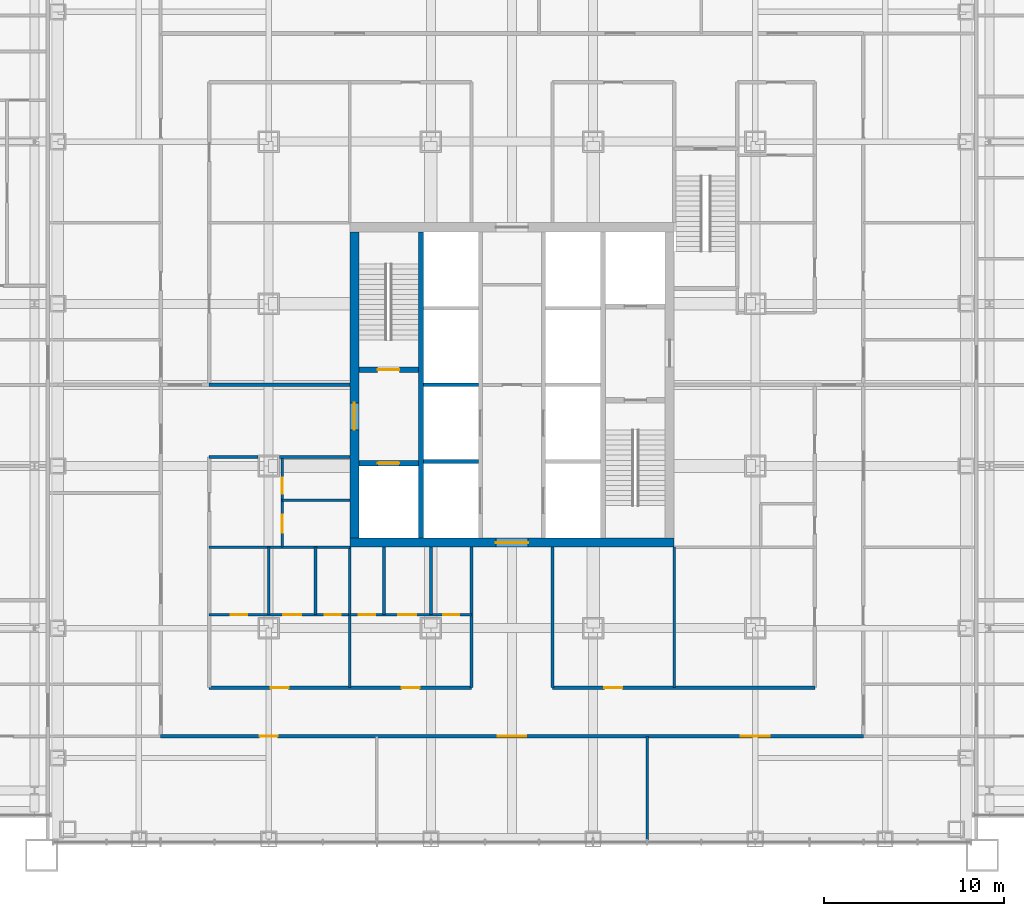
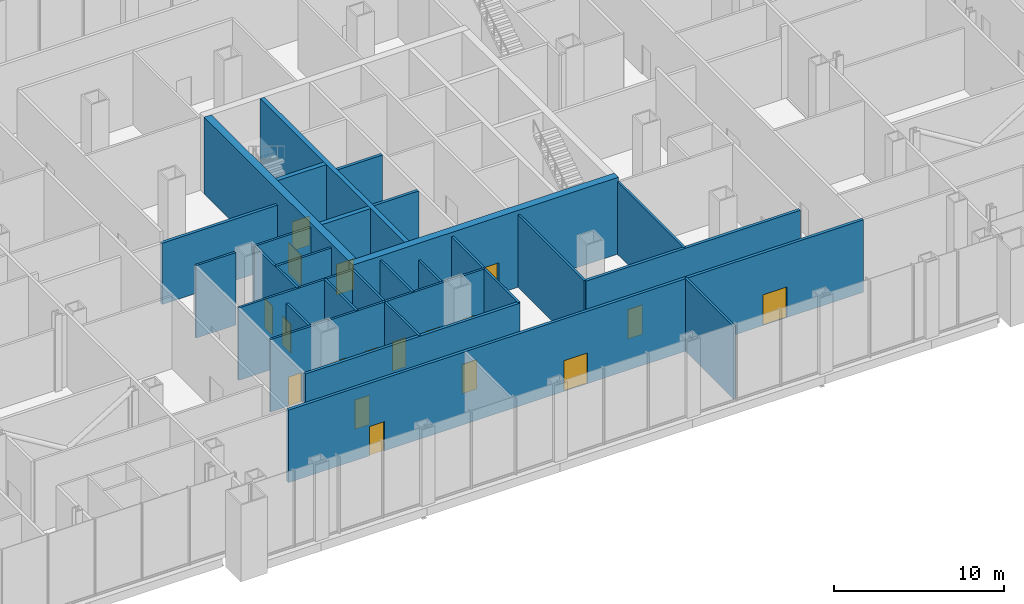
# One storey, part 14 of 25: 27 walls, 18 doors, 18 openings.
"""IFC4 building model written with IfcOpenShell, lengths in metres."""

from ifc_helpers import new_model, si_unit, direction, frame, frame_2d, origin, place, context, subcontext, project, spatial, rectangle, extrude, material, layer, layer_set, type_object, element, fill, save


model = new_model("IFC4")

# Units and contexts
model_context = context("Model", 3, precision=1e-05, world=origin(), true_north=direction((0.0, 1.0)))
body_context = subcontext(model_context, "Body", "Model", "MODEL_VIEW")
ifc_project = project(units=[si_unit("LENGTHUNIT", "METRE"), si_unit("AREAUNIT", "SQUARE_METRE"), si_unit("VOLUMEUNIT", "CUBIC_METRE"), si_unit("PLANEANGLEUNIT", "RADIAN"), si_unit("MASSUNIT", "GRAM", prefix="KILO")], contexts=[model_context])

# Site, building, storey
site_placement = place(None, origin())
site = spatial("IfcSite", under=ifc_project, at=site_placement, CompositionType="ELEMENT")
building_placement = place(site_placement, origin())
building = spatial("IfcBuilding", under=site, at=building_placement, Name="Malebo Sky Hospital", CompositionType="ELEMENT")
storey_placement = place(building_placement, frame((0.0, 0.0, 11.0)))
storey = spatial("IfcBuildingStorey", under=building, at=storey_placement, Name="L02", CompositionType="ELEMENT", Elevation=11.0)

# Walls
ifc_material_1 = material(Name="Concrete C80/95", Category="concrete")
ifc_layer_1 = layer(ifc_material_1, 0.199951171875)
ifc_layer_set_1 = layer_set([ifc_layer_1], Name="CORE INNER WALL 200")
wall_type_1 = type_object("IfcWallType", Name="CORE INNER WALL 200", PredefinedType="SHEAR", material=ifc_layer_set_1)
for number, where, z_axis, x_axis, name in (
    (1, (55.10009765625, 57.75, 0.0), (0.0, 0.0, 1.0), (1.0, 0.0, 0.0), "Core wall SW0 L02"),
    (2, (55.10009765625, 62.0, 0.0), (0.0, 0.0, 1.0), (1.0, 0.0, 0.0), "Core wall SW1 L02"),
):
    element("IfcWall", number, at=place(storey_placement, frame(where, z_axis=z_axis, x_axis=x_axis)), inside=storey, type_object=wall_type_1, Name=name, PredefinedType="SHEAR", context=body_context, shape_type="SweptSolid", body=[
        extrude(rectangle(XDim=3.0498046875, YDim=0.199951171875, at=frame_2d((1.52490234375, 0.0))), origin(), (0.0, 0.0, 1.0), 5.5),
    ])
ifc_layer_2 = layer(ifc_material_1, 0.300048828125)
ifc_layer_set_2 = layer_set([ifc_layer_2], Name="CORE INNER WALL 300")
wall_type_2 = type_object("IfcWallType", Name="CORE INNER WALL 300", PredefinedType="SHEAR", material=ifc_layer_set_2)
wall_1_placement = place(storey_placement, frame((54.949951171875, 53.5, 0.0), z_axis=(0.0, 0.0, 1.0), x_axis=(0.0, 1.0, 0.0)))
element("IfcWall", 3, at=wall_1_placement, inside=storey, type_object=wall_type_2, Name="Core wall XW L02", PredefinedType="SHEAR", context=body_context, shape_type="SweptSolid", body=[
    extrude(rectangle(XDim=17.0, YDim=0.300048828125, at=frame_2d((8.5, 0.0))), origin(), (0.0, 0.0, 1.0), 5.5),
])

# Wall, opening, door
wall_2_placement = place(storey_placement, frame((51.5, 62.85009765625, 0.0), z_axis=(0.0, 0.0, 1.0), x_axis=(1.0, 0.0, 0.0)))
wall_2 = element("IfcWall", 4, at=wall_2_placement, inside=storey, type_object=wall_type_2, Name="Core wall W1 L02", PredefinedType="SHEAR", context=body_context, shape_type="SweptSolid", body=[
    extrude(rectangle(XDim=3.300048828125, YDim=0.300048828125, at=frame_2d((1.64990234375, 0.0))), origin(), (0.0, 0.0, 1.0), 5.5),
])
opening_1_placement = place(wall_2_placement, frame((1.050048828125, 0.0, 0.0)))
opening_1 = element("IfcOpeningElement", 5, at=opening_1_placement, cuts=wall_2, Name="Opening D08", PredefinedType="OPENING", context=body_context, shape_type="SweptSolid", body=[
    extrude(rectangle(XDim=1.199951171875, YDim=2.10009765625, at=frame_2d((0.60009765625, 1.050048828125))), frame((0.0, 0.159912109375, 0.0), z_axis=(0.0, -1.0, 0.0), x_axis=(1.0, 0.0, 0.0)), (0.0, 0.0, 1.0), 0.320068359375),
])
ifc_material_2 = material(Name="Hardwood-faced door leaf in steel frame", Category="steel")
door_type_1 = type_object("IfcDoorType", Name="STAIR DOOR 1200", OperationType="SINGLE_SWING_LEFT", PredefinedType="DOOR", material=ifc_material_2)
door_1_placement = place(opening_1_placement, origin())
door_1 = element("IfcDoor", 6, at=door_1_placement, inside=storey, type_object=door_type_1, Name="Stair S1 door", OperationType="SINGLE_SWING_LEFT", OverallHeight=2.10009765625, OverallWidth=1.199951171875, PredefinedType="DOOR", context=body_context, shape_type="SweptSolid", body=[
    extrude(rectangle(XDim=1.199951171875, YDim=2.10009765625, at=frame_2d((0.60009765625, 1.050048828125))), frame((0.0, 0.02490234375, 0.0), z_axis=(0.0, -1.0, 0.0), x_axis=(1.0, 0.0, 0.0)), (0.0, 0.0, 1.0), 0.050048828125),
])
fill(opening_1, door_1)

wall_3_placement = place(storey_placement, frame((51.5, 57.64990234375, 0.0), z_axis=(0.0, 0.0, 1.0), x_axis=(1.0, 0.0, 0.0)))
wall_3 = element("IfcWall", 7, at=wall_3_placement, inside=storey, type_object=wall_type_2, Name="Core wall W2 L02", PredefinedType="SHEAR", context=body_context, shape_type="SweptSolid", body=[
    extrude(rectangle(XDim=3.300048828125, YDim=0.300048828125, at=frame_2d((1.64990234375, 0.0))), origin(), (0.0, 0.0, 1.0), 5.5),
])
opening_2_placement = place(wall_3_placement, frame((1.050048828125, 0.0, 0.0)))
opening_2 = element("IfcOpeningElement", 8, at=opening_2_placement, cuts=wall_3, Name="Opening LD2", PredefinedType="OPENING", context=body_context, shape_type="SweptSolid", body=[
    extrude(rectangle(XDim=1.199951171875, YDim=2.199951171875, at=frame_2d((0.60009765625, 1.10009765625))), frame((0.0, 0.159912109375, 0.0), z_axis=(0.0, -1.0, 0.0), x_axis=(1.0, 0.0, 0.0)), (0.0, 0.0, 1.0), 0.320068359375),
])
ifc_material_3 = material(Name="Stainless steel sliding landing door", Category="steel")
door_type_2 = type_object("IfcDoorType", Name="FIRE-FIGHTING LIFT LANDING DOOR 1200", OperationType="SLIDING_TO_LEFT", PredefinedType="DOOR", material=ifc_material_3)
door_2_placement = place(opening_2_placement, origin())
door_2 = element("IfcDoor", 9, at=door_2_placement, inside=storey, type_object=door_type_2, Name="Lift FL1 landing door", OperationType="SLIDING_TO_LEFT", OverallHeight=2.199951171875, OverallWidth=1.199951171875, PredefinedType="DOOR", context=body_context, shape_type="SweptSolid", body=[
    extrude(rectangle(XDim=1.199951171875, YDim=2.199951171875, at=frame_2d((0.60009765625, 1.10009765625))), frame((0.0, 0.02490234375, 0.0), z_axis=(0.0, -1.0, 0.0), x_axis=(1.0, 0.0, 0.0)), (0.0, 0.0, 1.0), 0.050048828125),
])
fill(opening_2, door_2)

ifc_layer_3 = layer(ifc_material_1, 0.5)
ifc_layer_set_3 = layer_set([ifc_layer_3], Name="CORE WALL 500")
wall_type_3 = type_object("IfcWallType", Name="CORE WALL 500", PredefinedType="SHEAR", material=ifc_layer_set_3)
wall_4_placement = place(storey_placement, frame((51.0, 53.25, 0.0), z_axis=(0.0, 0.0, 1.0), x_axis=(1.0, 0.0, 0.0)))
wall_4 = element("IfcWall", 10, at=wall_4_placement, inside=storey, type_object=wall_type_3, Name="Core wall S L02", PredefinedType="SHEAR", context=body_context, shape_type="SweptSolid", body=[
    extrude(rectangle(XDim=18.0, YDim=0.5, at=frame_2d((9.0, 0.0))), origin(), (0.0, 0.0, 1.0), 5.5),
])
opening_3_placement = place(wall_4_placement, frame((8.10009765625, 0.0, 0.0)))
opening_3 = element("IfcOpeningElement", 11, at=opening_3_placement, cuts=wall_4, Name="Opening D06", PredefinedType="OPENING", context=body_context, shape_type="SweptSolid", body=[
    extrude(rectangle(XDim=1.800048828125, YDim=2.199951171875, at=frame_2d((0.89990234375, 1.10009765625))), frame((0.0, 0.260009765625, 0.0), z_axis=(0.0, -1.0, 0.0), x_axis=(1.0, 0.0, 0.0)), (0.0, 0.0, 1.0), 0.52001953125),
])
door_type_3 = type_object("IfcDoorType", Name="LOBBY DOOR PAIR 1800", OperationType="DOUBLE_DOOR_SINGLE_SWING", PredefinedType="DOOR", material=ifc_material_2)
door_3_placement = place(opening_3_placement, origin())
door_3 = element("IfcDoor", 12, at=door_3_placement, inside=storey, type_object=door_type_3, Name="Lift lobby door south", OperationType="DOUBLE_DOOR_SINGLE_SWING", OverallHeight=2.199951171875, OverallWidth=1.800048828125, PredefinedType="DOOR", context=body_context, shape_type="SweptSolid", body=[
    extrude(rectangle(XDim=1.800048828125, YDim=2.199951171875, at=frame_2d((0.89990234375, 1.10009765625))), frame((0.0, 0.02490234375, 0.0), z_axis=(0.0, -1.0, 0.0), x_axis=(1.0, 0.0, 0.0)), (0.0, 0.0, 1.0), 0.050048828125),
])
fill(opening_3, door_3)

wall_5_placement = place(storey_placement, frame((51.25, 53.5, 0.0), z_axis=(0.0, 0.0, 1.0), x_axis=(0.0, 1.0, 0.0)))
wall_5 = element("IfcWall", 13, at=wall_5_placement, inside=storey, type_object=wall_type_3, Name="Core wall W L02", PredefinedType="SHEAR", context=body_context, shape_type="SweptSolid", body=[
    extrude(rectangle(XDim=17.0, YDim=0.5, at=frame_2d((8.5, 0.0))), origin(), (0.0, 0.0, 1.0), 5.5),
])
opening_4_placement = place(wall_5_placement, frame((6.0, 0.0, 0.0)))
opening_4 = element("IfcOpeningElement", 14, at=opening_4_placement, cuts=wall_5, Name="Opening D07", PredefinedType="OPENING", context=body_context, shape_type="SweptSolid", body=[
    extrude(rectangle(XDim=1.5, YDim=2.199951171875, at=frame_2d((0.75, 1.10009765625))), frame((0.0, 0.260009765625, 0.0), z_axis=(0.0, -1.0, 0.0), x_axis=(1.0, 0.0, 0.0)), (0.0, 0.0, 1.0), 0.52001953125),
])
door_type_4 = type_object("IfcDoorType", Name="FIRE-FIGHTING LOBBY DOOR PAIR 1500", OperationType="DOUBLE_DOOR_SINGLE_SWING", PredefinedType="DOOR", material=ifc_material_2)
door_4_placement = place(opening_4_placement, origin())
door_4 = element("IfcDoor", 15, at=door_4_placement, inside=storey, type_object=door_type_4, Name="Fire-fighting lobby door west", OperationType="DOUBLE_DOOR_SINGLE_SWING", OverallHeight=2.199951171875, OverallWidth=1.5, PredefinedType="DOOR", context=body_context, shape_type="SweptSolid", body=[
    extrude(rectangle(XDim=1.5, YDim=2.199951171875, at=frame_2d((0.75, 1.10009765625))), frame((0.0, 0.02490234375, 0.0), z_axis=(0.0, -1.0, 0.0), x_axis=(1.0, 0.0, 0.0)), (0.0, 0.0, 1.0), 0.050048828125),
])
fill(opening_4, door_4)

# Wall, openings, doors
ifc_material_4 = material(Name="Gypsum board on steel studs", Category="steel")
ifc_layer_4 = layer(ifc_material_4, 0.199951171875)
ifc_layer_set_4 = layer_set([ifc_layer_4], Name="CORRIDOR WALL 200")
wall_type_4 = type_object("IfcWallType", Name="CORRIDOR WALL 200", PredefinedType="PARTITIONING", material=ifc_layer_set_4)
wall_6_placement = place(storey_placement, frame((79.5, 42.5, 0.0), z_axis=(0.0, 0.0, 1.0), x_axis=(-1.0, 0.0, 0.0)))
wall_6 = element("IfcWall", 16, at=wall_6_placement, inside=storey, type_object=wall_type_4, Name="Corridor Wall 200 SCO", PredefinedType="PARTITIONING", context=body_context, shape_type="SweptSolid", body=[
    extrude(rectangle(XDim=39.0, YDim=0.199951171875, at=frame_2d((19.5, 0.0))), origin(), (0.0, 0.0, 1.0), 5.199951171875),
])
opening_5_placement = place(wall_6_placement, frame((5.199951171875, 0.0, 0.0)))
opening_5 = element("IfcOpeningElement", 17, at=opening_5_placement, cuts=wall_6, Name="Opening D14", PredefinedType="OPENING", context=body_context, shape_type="SweptSolid", body=[
    extrude(rectangle(XDim=1.60009765625, YDim=2.199951171875, at=frame_2d((0.800048828125, 1.10009765625))), frame((0.0, 0.10986328125, 0.0), z_axis=(0.0, -1.0, 0.0), x_axis=(1.0, 0.0, 0.0)), (0.0, 0.0, 1.0), 0.219970703125),
])
opening_6_placement = place(wall_6_placement, frame((18.699951171875, 0.0, 0.0)))
opening_6 = element("IfcOpeningElement", 18, at=opening_6_placement, cuts=wall_6, Name="Opening D14", PredefinedType="OPENING", context=body_context, shape_type="SweptSolid", body=[
    extrude(rectangle(XDim=1.60009765625, YDim=2.199951171875, at=frame_2d((0.800048828125, 1.10009765625))), frame((0.0, 0.10986328125, 0.0), z_axis=(0.0, -1.0, 0.0), x_axis=(1.0, 0.0, 0.0)), (0.0, 0.0, 1.0), 0.219970703125),
])
opening_7_placement = place(wall_6_placement, frame((32.5, 0.0, 0.0)))
opening_7 = element("IfcOpeningElement", 19, at=opening_7_placement, cuts=wall_6, Name="Opening D03", PredefinedType="OPENING", context=body_context, shape_type="SweptSolid", body=[
    extrude(rectangle(XDim=1.0, YDim=2.10009765625, at=frame_2d((0.5, 1.050048828125))), frame((0.0, 0.10986328125, 0.0), z_axis=(0.0, -1.0, 0.0), x_axis=(1.0, 0.0, 0.0)), (0.0, 0.0, 1.0), 0.219970703125),
])
door_type_5 = type_object("IfcDoorType", Name="DEPARTMENT DOOR PAIR 1600", OperationType="DOUBLE_DOOR_DOUBLE_SWING", PredefinedType="DOOR", material=ifc_material_2)
door_5_placement = place(opening_5_placement, origin())
door_5 = element("IfcDoor", 20, at=door_5_placement, inside=storey, type_object=door_type_5, Name="Theatre equipment store door", OperationType="DOUBLE_DOOR_DOUBLE_SWING", OverallHeight=2.199951171875, OverallWidth=1.60009765625, PredefinedType="DOOR", context=body_context, shape_type="SweptSolid", body=[
    extrude(rectangle(XDim=1.60009765625, YDim=2.199951171875, at=frame_2d((0.800048828125, 1.10009765625))), frame((0.0, 0.02490234375, 0.0), z_axis=(0.0, -1.0, 0.0), x_axis=(1.0, 0.0, 0.0)), (0.0, 0.0, 1.0), 0.050048828125),
])
fill(opening_5, door_5)
door_6_placement = place(opening_6_placement, origin())
door_6 = element("IfcDoor", 21, at=door_6_placement, inside=storey, type_object=door_type_5, Name="Post-anaesthesia recovery ward door", OperationType="DOUBLE_DOOR_DOUBLE_SWING", OverallHeight=2.199951171875, OverallWidth=1.60009765625, PredefinedType="DOOR", context=body_context, shape_type="SweptSolid", body=[
    extrude(rectangle(XDim=1.60009765625, YDim=2.199951171875, at=frame_2d((0.800048828125, 1.10009765625))), frame((0.0, 0.02490234375, 0.0), z_axis=(0.0, -1.0, 0.0), x_axis=(1.0, 0.0, 0.0)), (0.0, 0.0, 1.0), 0.050048828125),
])
fill(opening_6, door_6)
door_type_6 = type_object("IfcDoorType", Name="ROOM DOOR 1000", OperationType="SINGLE_SWING_LEFT", PredefinedType="DOOR", material=ifc_material_2)
door_7_placement = place(opening_7_placement, origin())
door_7 = element("IfcDoor", 22, at=door_7_placement, inside=storey, type_object=door_type_6, Name="Recovery staff base door", OperationType="SINGLE_SWING_RIGHT", OverallHeight=2.10009765625, OverallWidth=1.0, PredefinedType="DOOR", context=body_context, shape_type="SweptSolid", body=[
    extrude(rectangle(XDim=1.0, YDim=2.10009765625, at=frame_2d((0.5, 1.050048828125))), frame((0.0, 0.02490234375, 0.0), z_axis=(0.0, -1.0, 0.0), x_axis=(1.0, 0.0, 0.0)), (0.0, 0.0, 1.0), 0.050048828125),
])
fill(opening_7, door_7)

# Wall, opening, door
wall_7_placement = place(storey_placement, frame((76.800048828125, 45.199951171875, 0.0), z_axis=(0.0, 0.0, 1.0), x_axis=(-1.0, 0.0, 0.0)))
wall_7 = element("IfcWall", 23, at=wall_7_placement, inside=storey, type_object=wall_type_4, Name="Corridor Wall 200 SCI1", PredefinedType="PARTITIONING", context=body_context, shape_type="SweptSolid", body=[
    extrude(rectangle(XDim=14.550048828125, YDim=0.199951171875, at=frame_2d((7.27490234375, 0.0))), origin(), (0.0, 0.0, 1.0), 5.199951171875),
])
opening_8_placement = place(wall_7_placement, frame((10.675048828125, 0.0, 0.0)))
opening_8 = element("IfcOpeningElement", 24, at=opening_8_placement, cuts=wall_7, Name="Opening D03", PredefinedType="OPENING", context=body_context, shape_type="SweptSolid", body=[
    extrude(rectangle(XDim=1.0, YDim=2.10009765625, at=frame_2d((0.5, 1.050048828125))), frame((0.0, 0.10986328125, 0.0), z_axis=(0.0, -1.0, 0.0), x_axis=(1.0, 0.0, 0.0)), (0.0, 0.0, 1.0), 0.219970703125),
])
door_8_placement = place(opening_8_placement, origin())
door_8 = element("IfcDoor", 25, at=door_8_placement, inside=storey, type_object=door_type_6, Name="Clean utility room door", OperationType="SINGLE_SWING_LEFT", OverallHeight=2.10009765625, OverallWidth=1.0, PredefinedType="DOOR", context=body_context, shape_type="SweptSolid", body=[
    extrude(rectangle(XDim=1.0, YDim=2.10009765625, at=frame_2d((0.5, 1.050048828125))), frame((0.0, 0.02490234375, 0.0), z_axis=(0.0, -1.0, 0.0), x_axis=(1.0, 0.0, 0.0)), (0.0, 0.0, 1.0), 0.050048828125),
])
fill(opening_8, door_8)

# Wall, openings, doors
wall_8_placement = place(storey_placement, frame((57.75, 45.199951171875, 0.0), z_axis=(0.0, 0.0, 1.0), x_axis=(-1.0, 0.0, 0.0)))
wall_8 = element("IfcWall", 26, at=wall_8_placement, inside=storey, type_object=wall_type_4, Name="Corridor Wall 200 SCI2", PredefinedType="PARTITIONING", context=body_context, shape_type="SweptSolid", body=[
    extrude(rectangle(XDim=14.550048828125, YDim=0.199951171875, at=frame_2d((7.27490234375, 0.0))), origin(), (0.0, 0.0, 1.0), 5.199951171875),
])
opening_9_placement = place(wall_8_placement, frame((2.875, 0.0, 0.0)))
opening_9 = element("IfcOpeningElement", 27, at=opening_9_placement, cuts=wall_8, Name="Opening D03", PredefinedType="OPENING", context=body_context, shape_type="SweptSolid", body=[
    extrude(rectangle(XDim=1.0, YDim=2.10009765625, at=frame_2d((0.5, 1.050048828125))), frame((0.0, 0.10986328125, 0.0), z_axis=(0.0, -1.0, 0.0), x_axis=(1.0, 0.0, 0.0)), (0.0, 0.0, 1.0), 0.219970703125),
])
opening_10_placement = place(wall_8_placement, frame((10.14990234375, 0.0, 0.0)))
opening_10 = element("IfcOpeningElement", 28, at=opening_10_placement, cuts=wall_8, Name="Opening D03", PredefinedType="OPENING", context=body_context, shape_type="SweptSolid", body=[
    extrude(rectangle(XDim=1.0, YDim=2.10009765625, at=frame_2d((0.5, 1.050048828125))), frame((0.0, 0.10986328125, 0.0), z_axis=(0.0, -1.0, 0.0), x_axis=(1.0, 0.0, 0.0)), (0.0, 0.0, 1.0), 0.219970703125),
])
door_9_placement = place(opening_9_placement, origin())
door_9 = element("IfcDoor", 29, at=door_9_placement, inside=storey, type_object=door_type_6, Name="Staff WC vestibule door", OperationType="SINGLE_SWING_LEFT", OverallHeight=2.10009765625, OverallWidth=1.0, PredefinedType="DOOR", context=body_context, shape_type="SweptSolid", body=[
    extrude(rectangle(XDim=1.0, YDim=2.10009765625, at=frame_2d((0.5, 1.050048828125))), frame((0.0, 0.02490234375, 0.0), z_axis=(0.0, -1.0, 0.0), x_axis=(1.0, 0.0, 0.0)), (0.0, 0.0, 1.0), 0.050048828125),
])
fill(opening_9, door_9)
door_10_placement = place(opening_10_placement, origin())
door_10 = element("IfcDoor", 30, at=door_10_placement, inside=storey, type_object=door_type_6, Name="Patient WC vestibule door", OperationType="SINGLE_SWING_RIGHT", OverallHeight=2.10009765625, OverallWidth=1.0, PredefinedType="DOOR", context=body_context, shape_type="SweptSolid", body=[
    extrude(rectangle(XDim=1.0, YDim=2.10009765625, at=frame_2d((0.5, 1.050048828125))), frame((0.0, 0.02490234375, 0.0), z_axis=(0.0, -1.0, 0.0), x_axis=(1.0, 0.0, 0.0)), (0.0, 0.0, 1.0), 0.050048828125),
])
fill(opening_10, door_10)

# Walls
ifc_layer_5 = layer(ifc_material_4, 0.14990234375)
ifc_layer_set_5 = layer_set([ifc_layer_5], Name="PARTITION 150")
wall_type_5 = type_object("IfcWallType", Name="PARTITION 150", PredefinedType="PARTITIONING", material=ifc_layer_set_5)
wall_9_placement = place(storey_placement, frame((51.0, 53.0, 0.0), z_axis=(0.0, 0.0, 1.0), x_axis=(-1.0, 0.0, 0.0)))
element("IfcWall", 31, at=wall_9_placement, inside=storey, type_object=wall_type_5, Name="Partition 150 WSPM", PredefinedType="PARTITIONING", context=body_context, shape_type="SweptSolid", body=[
    extrude(rectangle(XDim=7.800048828125, YDim=0.14990234375, at=frame_2d((3.89990234375, 0.0))), origin(), (0.0, 0.0, 1.0), 5.199951171875),
])
wall_10_placement = place(storey_placement, frame((51.0, 58.0, 0.0), z_axis=(0.0, 0.0, 1.0), x_axis=(-1.0, 0.0, 0.0)))
element("IfcWall", 32, at=wall_10_placement, inside=storey, type_object=wall_type_5, Name="Partition 150 WSPA", PredefinedType="PARTITIONING", context=body_context, shape_type="SweptSolid", body=[
    extrude(rectangle(XDim=3.89990234375, YDim=0.14990234375, at=frame_2d((1.949951171875, 0.0))), origin(), (0.0, 0.0, 1.0), 5.199951171875),
])
wall_11_placement = place(storey_placement, frame((45.89990234375, 58.0, 0.0), z_axis=(0.0, 0.0, 1.0), x_axis=(-1.0, 0.0, 0.0)))
element("IfcWall", 33, at=wall_11_placement, inside=storey, type_object=wall_type_5, Name="Partition 150 WSPA", PredefinedType="PARTITIONING", context=body_context, shape_type="SweptSolid", body=[
    extrude(rectangle(XDim=2.699951171875, YDim=0.14990234375, at=frame_2d((1.35009765625, 0.0))), origin(), (0.0, 0.0, 1.0), 5.199951171875),
])

# Wall, openings, doors
wall_12_placement = place(storey_placement, frame((47.25, 53.0, 0.0), z_axis=(0.0, 0.0, 1.0), x_axis=(0.0, 1.0, 0.0)))
wall_12 = element("IfcWall", 34, at=wall_12_placement, inside=storey, type_object=wall_type_5, Name="Partition 150 WS0F", PredefinedType="PARTITIONING", context=body_context, shape_type="SweptSolid", body=[
    extrude(rectangle(XDim=5.0, YDim=0.14990234375, at=frame_2d((2.5, 0.0))), origin(), (0.0, 0.0, 1.0), 5.199951171875),
])
opening_11_placement = place(wall_12_placement, frame((0.800048828125, 0.0, 0.0)))
opening_11 = element("IfcOpeningElement", 35, at=opening_11_placement, cuts=wall_12, Name="Opening D03", PredefinedType="OPENING", context=body_context, shape_type="SweptSolid", body=[
    extrude(rectangle(XDim=1.0, YDim=2.10009765625, at=frame_2d((0.5, 1.050048828125))), frame((0.0, 0.0849609375, 0.0), z_axis=(0.0, -1.0, 0.0), x_axis=(1.0, 0.0, 0.0)), (0.0, 0.0, 1.0), 0.169921875),
])
opening_12_placement = place(wall_12_placement, frame((2.949951171875, 0.0, 0.0)))
opening_12 = element("IfcOpeningElement", 36, at=opening_12_placement, cuts=wall_12, Name="Opening D04", PredefinedType="OPENING", context=body_context, shape_type="SweptSolid", body=[
    extrude(rectangle(XDim=0.89990234375, YDim=2.10009765625, at=frame_2d((0.449951171875, 1.050048828125))), frame((0.0, 0.0849609375, 0.0), z_axis=(0.0, -1.0, 0.0), x_axis=(1.0, 0.0, 0.0)), (0.0, 0.0, 1.0), 0.169921875),
])
door_11_placement = place(opening_11_placement, origin())
door_11 = element("IfcDoor", 37, at=door_11_placement, inside=storey, type_object=door_type_6, Name="Accessible WC door", OperationType="SINGLE_SWING_LEFT", OverallHeight=2.10009765625, OverallWidth=1.0, PredefinedType="DOOR", context=body_context, shape_type="SweptSolid", body=[
    extrude(rectangle(XDim=1.0, YDim=2.10009765625, at=frame_2d((0.5, 1.050048828125))), frame((0.0, 0.02490234375, 0.0), z_axis=(0.0, -1.0, 0.0), x_axis=(1.0, 0.0, 0.0)), (0.0, 0.0, 1.0), 0.050048828125),
])
fill(opening_11, door_11)
door_type_7 = type_object("IfcDoorType", Name="ROOM DOOR 900", OperationType="SINGLE_SWING_LEFT", PredefinedType="DOOR", material=ifc_material_2)
door_12_placement = place(opening_12_placement, origin())
door_12 = element("IfcDoor", 38, at=door_12_placement, inside=storey, type_object=door_type_7, Name="Patient WC door", OperationType="SINGLE_SWING_LEFT", OverallHeight=2.10009765625, OverallWidth=0.89990234375, PredefinedType="DOOR", context=body_context, shape_type="SweptSolid", body=[
    extrude(rectangle(XDim=0.89990234375, YDim=2.10009765625, at=frame_2d((0.449951171875, 1.050048828125))), frame((0.0, 0.02490234375, 0.0), z_axis=(0.0, -1.0, 0.0), x_axis=(1.0, 0.0, 0.0)), (0.0, 0.0, 1.0), 0.050048828125),
])
fill(opening_12, door_12)

# Walls
wall_13_placement = place(storey_placement, frame((51.0, 55.60009765625, 0.0), z_axis=(0.0, 0.0, 1.0), x_axis=(-1.0, 0.0, 0.0)))
element("IfcWall", 39, at=wall_13_placement, inside=storey, type_object=wall_type_5, Name="Partition 150 WS0W1", PredefinedType="PARTITIONING", context=body_context, shape_type="SweptSolid", body=[
    extrude(rectangle(XDim=3.75, YDim=0.14990234375, at=frame_2d((1.875, 0.0))), origin(), (0.0, 0.0, 1.0), 5.199951171875),
])
wall_14_placement = place(storey_placement, frame((67.5, 42.5, 0.0), z_axis=(0.0, 0.0, 1.0), x_axis=(0.0, -1.0, 0.0)))
element("IfcWall", 40, at=wall_14_placement, inside=storey, type_object=wall_type_5, Name="Partition 150 SP-7.5", PredefinedType="PARTITIONING", context=body_context, shape_type="SweptSolid", body=[
    extrude(rectangle(XDim=5.75, YDim=0.14990234375, at=frame_2d((2.875, 0.0))), origin(), (0.0, 0.0, 1.0), 5.199951171875),
])
for number, where, z_axis, x_axis, name in (
    (41, (69.0, 53.0, 0.0), (0.0, 0.0, 1.0), (0.0, -1.0, 0.0), "Partition 150 SSPM"),
    (42, (62.25, 53.0, 0.0), (0.0, 0.0, 1.0), (0.0, -1.0, 0.0), "Partition 150 SSPA"),
    (43, (57.75, 53.0, 0.0), (0.0, 0.0, 1.0), (0.0, -1.0, 0.0), "Partition 150 SSPB"),
    (44, (51.0, 53.0, 0.0), (0.0, 0.0, 1.0), (0.0, -1.0, 0.0), "Partition 150 SSP9"),
):
    element("IfcWall", number, at=place(storey_placement, frame(where, z_axis=z_axis, x_axis=x_axis)), inside=storey, type_object=wall_type_5, Name=name, PredefinedType="PARTITIONING", context=body_context, shape_type="SweptSolid", body=[
        extrude(rectangle(XDim=7.800048828125, YDim=0.14990234375, at=frame_2d((3.89990234375, 0.0))), origin(), (0.0, 0.0, 1.0), 5.199951171875),
    ])

# Wall, openings, doors
wall_15_placement = place(storey_placement, frame((57.75, 49.25, 0.0), z_axis=(0.0, 0.0, 1.0), x_axis=(-1.0, 0.0, 0.0)))
wall_15 = element("IfcWall", 45, at=wall_15_placement, inside=storey, type_object=wall_type_5, Name="Partition 150 SS1F", PredefinedType="PARTITIONING", context=body_context, shape_type="SweptSolid", body=[
    extrude(rectangle(XDim=6.75, YDim=0.14990234375, at=frame_2d((3.375, 0.0))), origin(), (0.0, 0.0, 1.0), 5.199951171875),
])
opening_13_placement = place(wall_15_placement, frame((0.675048828125, 0.0, 0.0)))
opening_13 = element("IfcOpeningElement", 46, at=opening_13_placement, cuts=wall_15, Name="Opening D04", PredefinedType="OPENING", context=body_context, shape_type="SweptSolid", body=[
    extrude(rectangle(XDim=0.89990234375, YDim=2.10009765625, at=frame_2d((0.449951171875, 1.050048828125))), frame((0.0, 0.0849609375, 0.0), z_axis=(0.0, -1.0, 0.0), x_axis=(1.0, 0.0, 0.0)), (0.0, 0.0, 1.0), 0.169921875),
])
opening_14_placement = place(wall_15_placement, frame((3.050048828125, 0.0, 0.0)))
opening_14 = element("IfcOpeningElement", 47, at=opening_14_placement, cuts=wall_15, Name="Opening D03", PredefinedType="OPENING", context=body_context, shape_type="SweptSolid", body=[
    extrude(rectangle(XDim=1.0, YDim=2.10009765625, at=frame_2d((0.5, 1.050048828125))), frame((0.0, 0.0849609375, 0.0), z_axis=(0.0, -1.0, 0.0), x_axis=(1.0, 0.0, 0.0)), (0.0, 0.0, 1.0), 0.169921875),
])
opening_15_placement = place(wall_15_placement, frame((5.35009765625, 0.0, 0.0)))
opening_15 = element("IfcOpeningElement", 48, at=opening_15_placement, cuts=wall_15, Name="Opening D04", PredefinedType="OPENING", context=body_context, shape_type="SweptSolid", body=[
    extrude(rectangle(XDim=0.89990234375, YDim=2.10009765625, at=frame_2d((0.449951171875, 1.050048828125))), frame((0.0, 0.0849609375, 0.0), z_axis=(0.0, -1.0, 0.0), x_axis=(1.0, 0.0, 0.0)), (0.0, 0.0, 1.0), 0.169921875),
])
door_13_placement = place(opening_14_placement, origin())
door_13 = element("IfcDoor", 49, at=door_13_placement, inside=storey, type_object=door_type_6, Name="Accessible WC door", OperationType="SINGLE_SWING_LEFT", OverallHeight=2.10009765625, OverallWidth=1.0, PredefinedType="DOOR", context=body_context, shape_type="SweptSolid", body=[
    extrude(rectangle(XDim=1.0, YDim=2.10009765625, at=frame_2d((0.5, 1.050048828125))), frame((0.0, 0.02490234375, 0.0), z_axis=(0.0, -1.0, 0.0), x_axis=(1.0, 0.0, 0.0)), (0.0, 0.0, 1.0), 0.050048828125),
])
fill(opening_14, door_13)
door_14_placement = place(opening_13_placement, origin())
door_14 = element("IfcDoor", 50, at=door_14_placement, inside=storey, type_object=door_type_7, Name="Staff WC door", OperationType="SINGLE_SWING_LEFT", OverallHeight=2.10009765625, OverallWidth=0.89990234375, PredefinedType="DOOR", context=body_context, shape_type="SweptSolid", body=[
    extrude(rectangle(XDim=0.89990234375, YDim=2.10009765625, at=frame_2d((0.449951171875, 1.050048828125))), frame((0.0, 0.02490234375, 0.0), z_axis=(0.0, -1.0, 0.0), x_axis=(1.0, 0.0, 0.0)), (0.0, 0.0, 1.0), 0.050048828125),
])
fill(opening_13, door_14)
door_15_placement = place(opening_15_placement, origin())
door_15 = element("IfcDoor", 51, at=door_15_placement, inside=storey, type_object=door_type_7, Name="Staff WC door", OperationType="SINGLE_SWING_LEFT", OverallHeight=2.10009765625, OverallWidth=0.89990234375, PredefinedType="DOOR", context=body_context, shape_type="SweptSolid", body=[
    extrude(rectangle(XDim=0.89990234375, YDim=2.10009765625, at=frame_2d((0.449951171875, 1.050048828125))), frame((0.0, 0.02490234375, 0.0), z_axis=(0.0, -1.0, 0.0), x_axis=(1.0, 0.0, 0.0)), (0.0, 0.0, 1.0), 0.050048828125),
])
fill(opening_15, door_15)

# Walls
wall_16_placement = place(storey_placement, frame((55.5, 53.0, 0.0), z_axis=(0.0, 0.0, 1.0), x_axis=(0.0, -1.0, 0.0)))
element("IfcWall", 52, at=wall_16_placement, inside=storey, type_object=wall_type_5, Name="Partition 150 SS1W1", PredefinedType="PARTITIONING", context=body_context, shape_type="SweptSolid", body=[
    extrude(rectangle(XDim=3.75, YDim=0.14990234375, at=frame_2d((1.875, 0.0))), origin(), (0.0, 0.0, 1.0), 4.300048828125),
])
wall_17_placement = place(storey_placement, frame((52.89990234375, 53.0, 0.0), z_axis=(0.0, 0.0, 1.0), x_axis=(0.0, -1.0, 0.0)))
element("IfcWall", 53, at=wall_17_placement, inside=storey, type_object=wall_type_5, Name="Partition 150 SS1W2", PredefinedType="PARTITIONING", context=body_context, shape_type="SweptSolid", body=[
    extrude(rectangle(XDim=3.75, YDim=0.14990234375, at=frame_2d((1.875, 0.0))), origin(), (0.0, 0.0, 1.0), 5.199951171875),
])

# Wall, openings, doors
wall_18_placement = place(storey_placement, frame((51.0, 49.25, 0.0), z_axis=(0.0, 0.0, 1.0), x_axis=(-1.0, 0.0, 0.0)))
wall_18 = element("IfcWall", 54, at=wall_18_placement, inside=storey, type_object=wall_type_5, Name="Partition 150 SS2F", PredefinedType="PARTITIONING", context=body_context, shape_type="SweptSolid", body=[
    extrude(rectangle(XDim=7.800048828125, YDim=0.14990234375, at=frame_2d((3.89990234375, 0.0))), origin(), (0.0, 0.0, 1.0), 5.199951171875),
])
opening_16_placement = place(wall_18_placement, frame((0.5, 0.0, 0.0)))
opening_16 = element("IfcOpeningElement", 55, at=opening_16_placement, cuts=wall_18, Name="Opening D04", PredefinedType="OPENING", context=body_context, shape_type="SweptSolid", body=[
    extrude(rectangle(XDim=0.89990234375, YDim=2.10009765625, at=frame_2d((0.449951171875, 1.050048828125))), frame((0.0, 0.0849609375, 0.0), z_axis=(0.0, -1.0, 0.0), x_axis=(1.0, 0.0, 0.0)), (0.0, 0.0, 1.0), 0.169921875),
])
opening_17_placement = place(wall_18_placement, frame((2.699951171875, 0.0, 0.0)))
opening_17 = element("IfcOpeningElement", 56, at=opening_17_placement, cuts=wall_18, Name="Opening D03", PredefinedType="OPENING", context=body_context, shape_type="SweptSolid", body=[
    extrude(rectangle(XDim=1.0, YDim=2.10009765625, at=frame_2d((0.5, 1.050048828125))), frame((0.0, 0.0849609375, 0.0), z_axis=(0.0, -1.0, 0.0), x_axis=(1.0, 0.0, 0.0)), (0.0, 0.0, 1.0), 0.169921875),
])
opening_18_placement = place(wall_18_placement, frame((5.699951171875, 0.0, 0.0)))
opening_18 = element("IfcOpeningElement", 57, at=opening_18_placement, cuts=wall_18, Name="Opening D04", PredefinedType="OPENING", context=body_context, shape_type="SweptSolid", body=[
    extrude(rectangle(XDim=0.89990234375, YDim=2.10009765625, at=frame_2d((0.449951171875, 1.050048828125))), frame((0.0, 0.0849609375, 0.0), z_axis=(0.0, -1.0, 0.0), x_axis=(1.0, 0.0, 0.0)), (0.0, 0.0, 1.0), 0.169921875),
])
door_16_placement = place(opening_17_placement, origin())
door_16 = element("IfcDoor", 58, at=door_16_placement, inside=storey, type_object=door_type_6, Name="Accessible WC door", OperationType="SINGLE_SWING_LEFT", OverallHeight=2.10009765625, OverallWidth=1.0, PredefinedType="DOOR", context=body_context, shape_type="SweptSolid", body=[
    extrude(rectangle(XDim=1.0, YDim=2.10009765625, at=frame_2d((0.5, 1.050048828125))), frame((0.0, 0.02490234375, 0.0), z_axis=(0.0, -1.0, 0.0), x_axis=(1.0, 0.0, 0.0)), (0.0, 0.0, 1.0), 0.050048828125),
])
fill(opening_17, door_16)
door_17_placement = place(opening_16_placement, origin())
door_17 = element("IfcDoor", 59, at=door_17_placement, inside=storey, type_object=door_type_7, Name="Patient WC door", OperationType="SINGLE_SWING_LEFT", OverallHeight=2.10009765625, OverallWidth=0.89990234375, PredefinedType="DOOR", context=body_context, shape_type="SweptSolid", body=[
    extrude(rectangle(XDim=0.89990234375, YDim=2.10009765625, at=frame_2d((0.449951171875, 1.050048828125))), frame((0.0, 0.02490234375, 0.0), z_axis=(0.0, -1.0, 0.0), x_axis=(1.0, 0.0, 0.0)), (0.0, 0.0, 1.0), 0.050048828125),
])
fill(opening_16, door_17)
door_18_placement = place(opening_18_placement, origin())
door_18 = element("IfcDoor", 60, at=door_18_placement, inside=storey, type_object=door_type_7, Name="Patient WC door", OperationType="SINGLE_SWING_RIGHT", OverallHeight=2.10009765625, OverallWidth=0.89990234375, PredefinedType="DOOR", context=body_context, shape_type="SweptSolid", body=[
    extrude(rectangle(XDim=0.89990234375, YDim=2.10009765625, at=frame_2d((0.449951171875, 1.050048828125))), frame((0.0, 0.02490234375, 0.0), z_axis=(0.0, -1.0, 0.0), x_axis=(1.0, 0.0, 0.0)), (0.0, 0.0, 1.0), 0.050048828125),
])
fill(opening_18, door_18)

# Walls
wall_19_placement = place(storey_placement, frame((49.10009765625, 53.0, 0.0), z_axis=(0.0, 0.0, 1.0), x_axis=(0.0, -1.0, 0.0)))
element("IfcWall", 61, at=wall_19_placement, inside=storey, type_object=wall_type_5, Name="Partition 150 SS2W1", PredefinedType="PARTITIONING", context=body_context, shape_type="SweptSolid", body=[
    extrude(rectangle(XDim=3.75, YDim=0.14990234375, at=frame_2d((1.875, 0.0))), origin(), (0.0, 0.0, 1.0), 5.199951171875),
])
wall_20_placement = place(storey_placement, frame((46.5, 53.0, 0.0), z_axis=(0.0, 0.0, 1.0), x_axis=(0.0, -1.0, 0.0)))
element("IfcWall", 62, at=wall_20_placement, inside=storey, type_object=wall_type_5, Name="Partition 150 SS2W2", PredefinedType="PARTITIONING", context=body_context, shape_type="SweptSolid", body=[
    extrude(rectangle(XDim=3.75, YDim=0.14990234375, at=frame_2d((1.875, 0.0))), origin(), (0.0, 0.0, 1.0), 4.39990234375),
])
ifc_material_5 = material(Name="Concrete blockwork", Category="masonry")
ifc_layer_6 = layer(ifc_material_5, 0.199951171875)
ifc_layer_set_6 = layer_set([ifc_layer_6], Name="SMOKE BARRIER WALL 200")
wall_type_6 = type_object("IfcWallType", Name="SMOKE BARRIER WALL 200", PredefinedType="SOLIDWALL", material=ifc_layer_set_6)
wall_21_placement = place(storey_placement, frame((51.0, 62.0, 0.0), z_axis=(0.0, 0.0, 1.0), x_axis=(-1.0, 0.0, 0.0)))
element("IfcWall", 63, at=wall_21_placement, inside=storey, type_object=wall_type_6, Name="Smoke Barrier Wall 200 WSPB", PredefinedType="SOLIDWALL", context=body_context, shape_type="SweptSolid", body=[
    extrude(rectangle(XDim=7.800048828125, YDim=0.199951171875, at=frame_2d((3.89990234375, 0.0))), origin(), (0.0, 0.0, 1.0), 4.39990234375),
])

save(model, "model.ifc")
